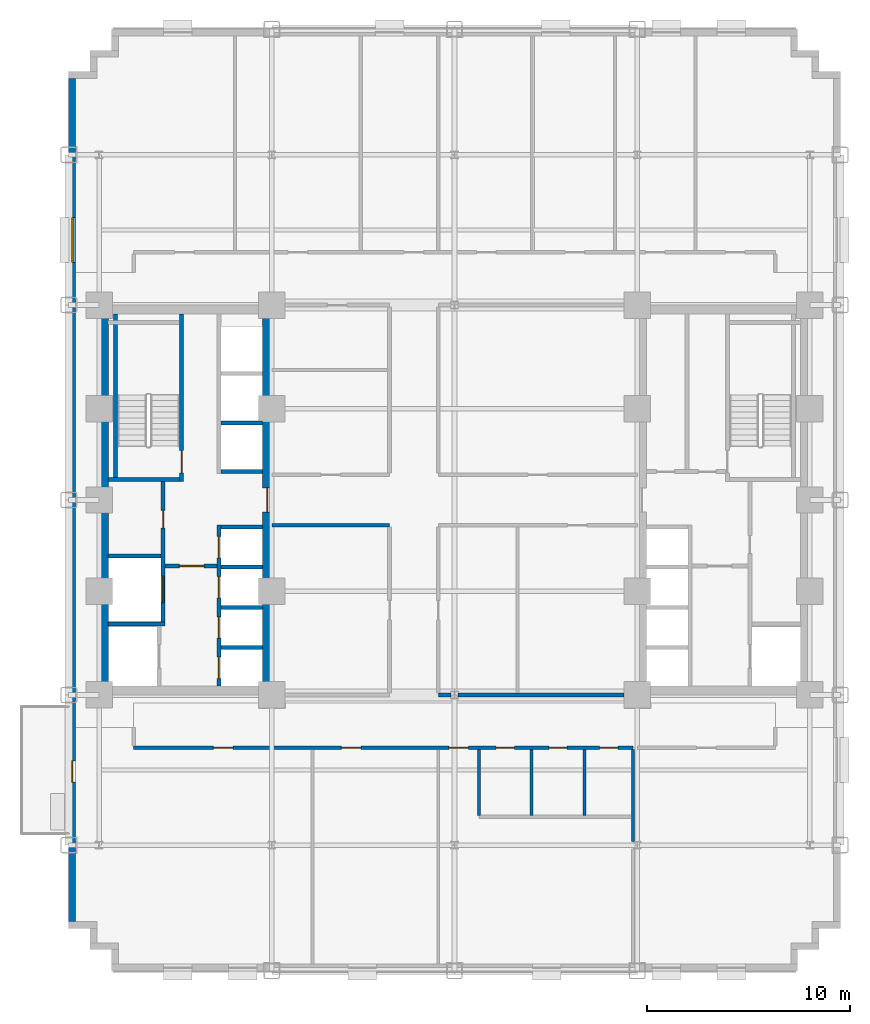
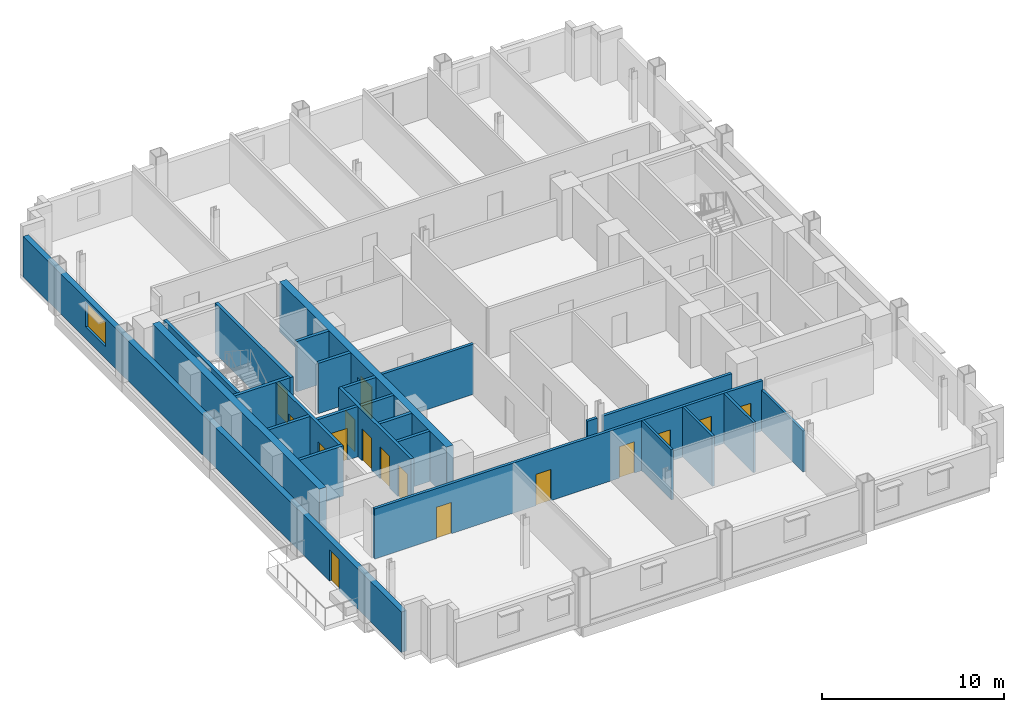
# One storey, part 5 of 12: 25 walls, 16 doors, 1 window, 17 openings.
"""IFC4 building model written with IfcOpenShell, lengths in metres."""

from ifc_helpers import new_model, si_unit, direction, frame, frame_2d, origin, place, context, subcontext, project, spatial, rectangle, extrude, source, transform, mapped, material, layer, layer_set, type_object, type_shapes, element, fill, save


model = new_model("IFC4")

# Units and contexts
model_context = context("Model", 3, precision=1e-05, world=origin(), true_north=direction((0.0, 1.0)))
body_context = subcontext(model_context, "Body", "Model", "MODEL_VIEW")
ifc_project = project(units=[si_unit("LENGTHUNIT", "METRE"), si_unit("AREAUNIT", "SQUARE_METRE"), si_unit("VOLUMEUNIT", "CUBIC_METRE"), si_unit("PLANEANGLEUNIT", "RADIAN"), si_unit("MASSUNIT", "GRAM", prefix="KILO")], contexts=[model_context])

# Site, building, storey
site_placement = place(None, origin())
site = spatial("IfcSite", under=ifc_project, at=site_placement, CompositionType="ELEMENT")
building_placement = place(site_placement, origin())
building = spatial("IfcBuilding", under=site, at=building_placement, Name="Nuvemarco Arch Tower", CompositionType="ELEMENT")
storey_placement = place(building_placement, frame((0.0, 0.0, 34.89990234375)))
storey = spatial("IfcBuildingStorey", under=building, at=storey_placement, Name="L08", CompositionType="ELEMENT", Elevation=34.89990234375)

# Wall, openings, door, window
ifc_material_1 = material(Name="Precast concrete C45/55", Category="concrete")
ifc_layer_1 = layer(ifc_material_1, 0.340087890625, Name="EW-LOW-340")
ifc_layer_set_1 = layer_set([ifc_layer_1], Name="Precast concrete C45/55")
wall_type_1 = type_object("IfcWallType", Name="EW-LOW-340", PredefinedType="STANDARD", material=ifc_layer_set_1)
wall_1_placement = place(storey_placement, frame((-18.830078125, -20.763916015625, 0.0), z_axis=(0.0, 0.0, 1.0), x_axis=(0.0, 1.0, 0.0)))
wall_1 = element("IfcWall", 1, at=wall_1_placement, inside=storey, type_object=wall_type_1, Name="L08 exterior precast facade wall 16", PredefinedType="STANDARD", context=body_context, shape_type="SweptSolid", body=[
    extrude(rectangle(XDim=41.52783203125, YDim=0.340087890625, at=frame_2d((20.763916015625, 0.0))), origin(), (0.0, 0.0, 1.0), 2.705078125),
])
opening_1_placement = place(wall_1_placement, frame((6.864013671875, 0.0, 0.0)))
opening_1 = element("IfcOpeningElement", 2, at=opening_1_placement, cuts=wall_1, Name="Opening ED-5", PredefinedType="OPENING", context=body_context, shape_type="SweptSolid", body=[
    extrude(rectangle(XDim=1.050048828125, YDim=2.10009765625, at=frame_2d((0.52490234375, 1.050048828125))), frame((0.0, 0.179931640625, 0.0), z_axis=(0.0, -1.0, 0.0), x_axis=(1.0, 0.0, 0.0)), (0.0, 0.0, 1.0), 0.360107421875),
])
opening_2_placement = place(wall_1_placement, frame((32.466552734375, 0.0, 0.800048828125)))
opening_2 = element("IfcOpeningElement", 3, at=opening_2_placement, cuts=wall_1, Name="Opening WN-3", PredefinedType="OPENING", context=body_context, shape_type="SweptSolid", body=[
    extrude(rectangle(XDim=2.199951171875, YDim=1.64990234375, at=frame_2d((1.10009765625, 0.824951171875))), frame((0.0, 0.179931640625, 0.0), z_axis=(0.0, -1.0, 0.0), x_axis=(1.0, 0.0, 0.0)), (0.0, 0.0, 1.0), 0.360107421875),
])
ifc_material_2 = material(Name="Anodised bronze and laminated glass", Category="glass")
door_type_1 = type_object("IfcDoorType", Name="DR-EXT-TERR", OperationType="NOTDEFINED", PredefinedType="DOOR", material=ifc_material_2)
shared_shape_1 = source(origin(), body_context, "Body", "SweptSolid", [
    extrude(rectangle(XDim=1.050048828125, YDim=2.10009765625, at=frame_2d((0.52490234375, 1.050048828125))), frame((0.0, 0.02490234375, 0.0), z_axis=(0.0, -1.0, 0.0), x_axis=(1.0, 0.0, 0.0)), (0.0, 0.0, 1.0), 0.050048828125),
])
type_shapes(door_type_1, [shared_shape_1])
door_1_placement = place(opening_1_placement, origin())
door_1 = element("IfcDoor", 4, at=door_1_placement, inside=storey, type_object=door_type_1, Name="L08 spiral terrace access door", OperationType="SINGLE_SWING_LEFT", OverallHeight=2.10009765625, OverallWidth=1.050048828125, PredefinedType="DOOR", context=body_context, shape_type="MappedRepresentation", body=[
    mapped(shared_shape_1, transform((0.0, 0.0, 0.0), scale=1.0)),
])
fill(opening_1, door_1)
ifc_material_3 = material(Name="Insulated solar-control glass", Category="glass")
window_type = type_object("IfcWindowType", Name="WN-LOW-2200x1650", PartitioningType="DOUBLE_PANEL_VERTICAL", PredefinedType="WINDOW", material=ifc_material_3)
shared_shape_2 = source(origin(), body_context, "Body", "SweptSolid", [
    extrude(rectangle(XDim=2.199951171875, YDim=1.64990234375, at=frame_2d((1.10009765625, 0.824951171875))), frame((0.0, 0.030029296875, 0.0), z_axis=(0.0, -1.0, 0.0), x_axis=(1.0, 0.0, 0.0)), (0.0, 0.0, 1.0), 0.06005859375),
])
type_shapes(window_type, [shared_shape_2])
window_placement = place(opening_2_placement, origin())
window = element("IfcWindow", 5, at=window_placement, inside=storey, type_object=window_type, Name="L08 punched facade window 7", OverallHeight=1.64990234375, OverallWidth=2.199951171875, PartitioningType="SINGLE_PANEL", PredefinedType="WINDOW", context=body_context, shape_type="MappedRepresentation", body=[
    mapped(shared_shape_2, transform((0.0, 0.0, 0.0), scale=1.0)),
])
fill(opening_2, window)

# Wall
ifc_material_4 = material(Name="Concrete C60/75", Category="concrete")
ifc_layer_2 = layer(ifc_material_4, 0.449951171875, Name="WL-CORE-450")
ifc_layer_set_2 = layer_set([ifc_layer_2], Name="Concrete C60/75")
wall_type_2 = type_object("IfcWallType", Name="WL-CORE-450", PredefinedType="SHEAR", material=ifc_layer_set_2)
wall_2_placement = place(storey_placement, frame((-17.27490234375, -9.155029296875, 0.0), z_axis=(0.0, 0.0, 1.0), x_axis=(0.0, 1.0, 0.0)))
element("IfcWall", 6, at=wall_2_placement, inside=storey, type_object=wall_type_2, Name="L08 W-core shear wall W", PredefinedType="SHEAR", context=body_context, shape_type="SweptSolid", body=[
    extrude(rectangle(XDim=18.31005859375, YDim=0.449951171875, at=frame_2d((9.155029296875, 0.0))), origin(), (0.0, 0.0, 1.0), 3.3701171875),
])

# Wall, opening, door
wall_3_placement = place(storey_placement, frame((-9.22509765625, -9.155029296875, 0.0), z_axis=(0.0, 0.0, 1.0), x_axis=(0.0, 1.0, 0.0)))
wall_3 = element("IfcWall", 7, at=wall_3_placement, inside=storey, type_object=wall_type_2, Name="L08 W-core shear wall E", PredefinedType="SHEAR", context=body_context, shape_type="SweptSolid", body=[
    extrude(rectangle(XDim=18.31005859375, YDim=0.449951171875, at=frame_2d((9.155029296875, 0.0))), origin(), (0.0, 0.0, 1.0), 3.3701171875),
])
opening_3_placement = place(wall_3_placement, frame((8.554931640625, 0.0, 0.0)))
opening_3 = element("IfcOpeningElement", 8, at=opening_3_placement, cuts=wall_3, Name="Opening FD-2", PredefinedType="OPENING", context=body_context, shape_type="SweptSolid", body=[
    extrude(rectangle(XDim=1.199951171875, YDim=2.14990234375, at=frame_2d((0.60009765625, 1.074951171875))), frame((0.0, 0.23486328125, 0.0), z_axis=(0.0, -1.0, 0.0), x_axis=(1.0, 0.0, 0.0)), (0.0, 0.0, 1.0), 0.469970703125),
])
ifc_material_5 = material(Name="Anodised steel fire door", Category="steel")
door_type_2 = type_object("IfcDoorType", Name="DR-FFLOB-FD", OperationType="NOTDEFINED", PredefinedType="DOOR", material=ifc_material_5)
shared_shape_3 = source(origin(), body_context, "Body", "SweptSolid", [
    extrude(rectangle(XDim=1.199951171875, YDim=2.14990234375, at=frame_2d((0.60009765625, 1.074951171875))), frame((0.0, 0.02490234375, 0.0), z_axis=(0.0, -1.0, 0.0), x_axis=(1.0, 0.0, 0.0)), (0.0, 0.0, 1.0), 0.050048828125),
])
type_shapes(door_type_2, [shared_shape_3])
door_2_placement = place(opening_3_placement, origin())
door_2 = element("IfcDoor", 9, at=door_2_placement, inside=storey, type_object=door_type_2, Name="L08 door FD-L08-WCORE-E", OperationType="SINGLE_SWING_LEFT", OverallHeight=2.14990234375, OverallWidth=1.199951171875, PredefinedType="DOOR", context=body_context, shape_type="MappedRepresentation", body=[
    mapped(shared_shape_3, transform((0.0, 0.0, 0.0), scale=1.0)),
])
fill(opening_3, door_2)

# Wall, openings, doors
ifc_material_6 = material(Name="Fire-rated gypsum drywall partition")
ifc_layer_3 = layer(ifc_material_6, 0.179931640625, Name="WL-CORR-180")
ifc_layer_set_3 = layer_set([ifc_layer_3], Name="Fire-rated gypsum drywall partition")
wall_type_3 = type_object("IfcWallType", Name="WL-CORR-180", PredefinedType="PARTITIONING", material=ifc_layer_set_3)
wall_4_placement = place(storey_placement, frame((-15.800048828125, -12.199951171875, 0.0), z_axis=(0.0, 0.0, 1.0), x_axis=(1.0, 0.0, 0.0)))
wall_4 = element("IfcWall", 10, at=wall_4_placement, inside=storey, type_object=wall_type_3, Name="L08 interior wall IW-L08-002", PredefinedType="PARTITIONING", context=body_context, shape_type="SweptSolid", body=[
    extrude(rectangle(XDim=24.60009765625, YDim=0.179931640625, at=frame_2d((12.300048828125, 0.0))), origin(), (0.0, 0.0, 1.0), 3.360107421875),
])
opening_4_placement = place(wall_4_placement, frame((3.925048828125, 0.0, 0.0)))
opening_4 = element("IfcOpeningElement", 11, at=opening_4_placement, cuts=wall_4, Name="Opening FD-5", PredefinedType="OPENING", context=body_context, shape_type="SweptSolid", body=[
    extrude(rectangle(XDim=0.9599609375, YDim=2.10009765625, at=frame_2d((0.47998046875, 1.050048828125))), frame((0.0, 0.099853515625, 0.0), z_axis=(0.0, -1.0, 0.0), x_axis=(1.0, 0.0, 0.0)), (0.0, 0.0, 1.0), 0.199951171875),
])
opening_5_placement = place(wall_4_placement, frame((10.22509765625, 0.0, 0.0)))
opening_5 = element("IfcOpeningElement", 12, at=opening_5_placement, cuts=wall_4, Name="Opening FD-5", PredefinedType="OPENING", context=body_context, shape_type="SweptSolid", body=[
    extrude(rectangle(XDim=0.9599609375, YDim=2.10009765625, at=frame_2d((0.47998046875, 1.050048828125))), frame((0.0, 0.099853515625, 0.0), z_axis=(0.0, -1.0, 0.0), x_axis=(1.0, 0.0, 0.0)), (0.0, 0.0, 1.0), 0.199951171875),
])
opening_6_placement = place(wall_4_placement, frame((20.449951171875, 0.0, 0.0)))
opening_6 = element("IfcOpeningElement", 13, at=opening_6_placement, cuts=wall_4, Name="Opening ID-3", PredefinedType="OPENING", context=body_context, shape_type="SweptSolid", body=[
    extrude(rectangle(XDim=0.89990234375, YDim=2.10009765625, at=frame_2d((0.449951171875, 1.050048828125))), frame((0.0, 0.099853515625, 0.0), z_axis=(0.0, -1.0, 0.0), x_axis=(1.0, 0.0, 0.0)), (0.0, 0.0, 1.0), 0.199951171875),
])
opening_7_placement = place(wall_4_placement, frame((17.85009765625, 0.0, 0.0)))
opening_7 = element("IfcOpeningElement", 14, at=opening_7_placement, cuts=wall_4, Name="Opening ID-3", PredefinedType="OPENING", context=body_context, shape_type="SweptSolid", body=[
    extrude(rectangle(XDim=0.89990234375, YDim=2.10009765625, at=frame_2d((0.449951171875, 1.050048828125))), frame((0.0, 0.099853515625, 0.0), z_axis=(0.0, -1.0, 0.0), x_axis=(1.0, 0.0, 0.0)), (0.0, 0.0, 1.0), 0.199951171875),
])
opening_8_placement = place(wall_4_placement, frame((22.949951171875, 0.0, 0.0)))
opening_8 = element("IfcOpeningElement", 15, at=opening_8_placement, cuts=wall_4, Name="Opening ID-3", PredefinedType="OPENING", context=body_context, shape_type="SweptSolid", body=[
    extrude(rectangle(XDim=0.89990234375, YDim=2.10009765625, at=frame_2d((0.449951171875, 1.050048828125))), frame((0.0, 0.099853515625, 0.0), z_axis=(0.0, -1.0, 0.0), x_axis=(1.0, 0.0, 0.0)), (0.0, 0.0, 1.0), 0.199951171875),
])
opening_9_placement = place(wall_4_placement, frame((15.52001953125, 0.0, 0.0)))
opening_9 = element("IfcOpeningElement", 16, at=opening_9_placement, cuts=wall_4, Name="Opening FD-5", PredefinedType="OPENING", context=body_context, shape_type="SweptSolid", body=[
    extrude(rectangle(XDim=0.9599609375, YDim=2.10009765625, at=frame_2d((0.47998046875, 1.050048828125))), frame((0.0, 0.099853515625, 0.0), z_axis=(0.0, -1.0, 0.0), x_axis=(1.0, 0.0, 0.0)), (0.0, 0.0, 1.0), 0.199951171875),
])
ifc_material_7 = material(Name="Timber fire door", Category="wood")
door_type_3 = type_object("IfcDoorType", Name="DR-CORR-FD", OperationType="NOTDEFINED", PredefinedType="DOOR", material=ifc_material_7)
shared_shape_4 = source(origin(), body_context, "Body", "SweptSolid", [
    extrude(rectangle(XDim=0.9599609375, YDim=2.10009765625, at=frame_2d((0.47998046875, 1.050048828125))), frame((0.0, 0.02490234375, 0.0), z_axis=(0.0, -1.0, 0.0), x_axis=(1.0, 0.0, 0.0)), (0.0, 0.0, 1.0), 0.050048828125),
])
type_shapes(door_type_3, [shared_shape_4])
door_3_placement = place(opening_4_placement, origin())
door_3 = element("IfcDoor", 17, at=door_3_placement, inside=storey, type_object=door_type_3, Name="L08 door DR-L08-S_1", OperationType="SINGLE_SWING_RIGHT", OverallHeight=2.10009765625, OverallWidth=0.9599609375, PredefinedType="DOOR", context=body_context, shape_type="MappedRepresentation", body=[
    mapped(shared_shape_4, transform((0.0, 0.0, 0.0), scale=1.0)),
])
fill(opening_4, door_3)
door_4_placement = place(opening_5_placement, origin())
door_4 = element("IfcDoor", 18, at=door_4_placement, inside=storey, type_object=door_type_3, Name="L08 door DR-L08-S_2", OperationType="SINGLE_SWING_LEFT", OverallHeight=2.10009765625, OverallWidth=0.9599609375, PredefinedType="DOOR", context=body_context, shape_type="MappedRepresentation", body=[
    mapped(shared_shape_4, transform((0.0, 0.0, 0.0), scale=1.0)),
])
fill(opening_5, door_4)
door_5_placement = place(opening_9_placement, origin())
door_5 = element("IfcDoor", 19, at=door_5_placement, inside=storey, type_object=door_type_3, Name="L08 door DR-L08-S_3", OperationType="SINGLE_SWING_RIGHT", OverallHeight=2.10009765625, OverallWidth=0.9599609375, PredefinedType="DOOR", context=body_context, shape_type="MappedRepresentation", body=[
    mapped(shared_shape_4, transform((0.0, 0.0, 0.0), scale=1.0)),
])
fill(opening_9, door_5)
ifc_material_8 = material(Name="Veneered oak timber fire door", Category="wood")
door_type_4 = type_object("IfcDoorType", Name="DR-WC-ACC", OperationType="NOTDEFINED", PredefinedType="DOOR", material=ifc_material_8)
shared_shape_5 = source(origin(), body_context, "Body", "SweptSolid", [
    extrude(rectangle(XDim=0.89990234375, YDim=2.10009765625, at=frame_2d((0.449951171875, 1.050048828125))), frame((0.0, 0.02490234375, 0.0), z_axis=(0.0, -1.0, 0.0), x_axis=(1.0, 0.0, 0.0)), (0.0, 0.0, 1.0), 0.050048828125),
])
type_shapes(door_type_4, [shared_shape_5])
door_6_placement = place(opening_6_placement, origin())
door_6 = element("IfcDoor", 20, at=door_6_placement, inside=storey, type_object=door_type_4, Name="L08 door DR-L08-WC_F", OperationType="SINGLE_SWING_RIGHT", OverallHeight=2.10009765625, OverallWidth=0.89990234375, PredefinedType="DOOR", context=body_context, shape_type="MappedRepresentation", body=[
    mapped(shared_shape_5, transform((0.0, 0.0, 0.0), scale=1.0)),
])
fill(opening_6, door_6)
door_7_placement = place(opening_7_placement, origin())
door_7 = element("IfcDoor", 21, at=door_7_placement, inside=storey, type_object=door_type_4, Name="L08 door DR-L08-WC_M", OperationType="SINGLE_SWING_LEFT", OverallHeight=2.10009765625, OverallWidth=0.89990234375, PredefinedType="DOOR", context=body_context, shape_type="MappedRepresentation", body=[
    mapped(shared_shape_5, transform((0.0, 0.0, 0.0), scale=1.0)),
])
fill(opening_7, door_7)
door_8_placement = place(opening_8_placement, origin())
door_8 = element("IfcDoor", 22, at=door_8_placement, inside=storey, type_object=door_type_4, Name="L08 door DR-L08-WC_ACC", OperationType="SINGLE_SWING_RIGHT", OverallHeight=2.10009765625, OverallWidth=0.89990234375, PredefinedType="DOOR", context=body_context, shape_type="MappedRepresentation", body=[
    mapped(shared_shape_5, transform((0.0, 0.0, 0.0), scale=1.0)),
])
fill(opening_8, door_8)

# Walls
wall_5_placement = place(storey_placement, frame((-0.800048828125, -9.60009765625, 0.0), z_axis=(0.0, 0.0, 1.0), x_axis=(1.0, 0.0, 0.0)))
element("IfcWall", 23, at=wall_5_placement, inside=storey, type_object=wall_type_3, Name="L08 interior wall IW-L08-005", PredefinedType="PARTITIONING", context=body_context, shape_type="SweptSolid", body=[
    extrude(rectangle(XDim=0.6240234375, YDim=0.179931640625, at=frame_2d((0.31201171875, 0.0))), origin(), (0.0, 0.0, 1.0), 2.405029296875),
])
wall_6_placement = place(storey_placement, frame((0.176025390625, -9.60009765625, 0.0), z_axis=(0.0, 0.0, 1.0), x_axis=(1.0, 0.0, 0.0)))
element("IfcWall", 24, at=wall_6_placement, inside=storey, type_object=wall_type_3, Name="L08 interior wall IW-L08-006", PredefinedType="PARTITIONING", context=body_context, shape_type="SweptSolid", body=[
    extrude(rectangle(XDim=8.177978515625, YDim=0.179931640625, at=frame_2d((4.0888671875, 0.0))), origin(), (0.0, 0.0, 1.0), 2.405029296875),
])
wall_7_placement = place(storey_placement, frame((-9.0, -1.25, 0.0), z_axis=(0.0, 0.0, 1.0), x_axis=(1.0, 0.0, 0.0)))
element("IfcWall", 25, at=wall_7_placement, inside=storey, type_object=wall_type_3, Name="L08 interior wall IW-L08-007", PredefinedType="PARTITIONING", context=body_context, shape_type="SweptSolid", body=[
    extrude(rectangle(XDim=5.800048828125, YDim=0.179931640625, at=frame_2d((2.89990234375, 0.0))), origin(), (0.0, 0.0, 1.0), 3.360107421875),
])

# Wall, opening, door
ifc_material_9 = material(Name="Concrete C50/60", Category="concrete")
ifc_layer_4 = layer(ifc_material_9, 0.199951171875, Name="WL-SHAFT-220")
ifc_layer_set_4 = layer_set([ifc_layer_4], Name="Concrete C50/60")
wall_type_4 = type_object("IfcWallType", Name="WL-SHAFT-220", PredefinedType="SHEAR", material=ifc_layer_set_4)
wall_8_placement = place(storey_placement, frame((-13.43994140625, 0.89990234375, 0.0), z_axis=(0.0, 0.0, 1.0), x_axis=(0.0, 1.0, 0.0)))
wall_8 = element("IfcWall", 26, at=wall_8_placement, inside=storey, type_object=wall_type_4, Name="L08 structural shaft wall SW-L08-W-ST1E", PredefinedType="SHEAR", context=body_context, shape_type="SweptSolid", body=[
    extrude(rectangle(XDim=8.255126953125, YDim=0.199951171875, at=frame_2d((4.12744140625, 0.0))), origin(), (0.0, 0.0, 1.0), 3.3701171875),
])
opening_10_placement = place(wall_8_placement, frame((1.530029296875, 0.0, 0.0), z_axis=(0.0, 0.0, 1.0), x_axis=(-1.0, 0.0, 0.0)))
opening_10 = element("IfcOpeningElement", 27, at=opening_10_placement, cuts=wall_8, Name="Opening FD-1", PredefinedType="OPENING", context=body_context, shape_type="SweptSolid", body=[
    extrude(rectangle(XDim=1.10009765625, YDim=2.14990234375, at=frame_2d((0.550048828125, 1.074951171875))), frame((0.0, 0.10986328125, 0.0), z_axis=(0.0, -1.0, 0.0), x_axis=(1.0, 0.0, 0.0)), (0.0, 0.0, 1.0), 0.219970703125),
])
door_type_5 = type_object("IfcDoorType", Name="DR-STAIR-FD", OperationType="NOTDEFINED", PredefinedType="DOOR", material=ifc_material_5)
shared_shape_6 = source(origin(), body_context, "Body", "SweptSolid", [
    extrude(rectangle(XDim=1.10009765625, YDim=2.14990234375, at=frame_2d((0.550048828125, 1.074951171875))), frame((0.0, 0.02490234375, 0.0), z_axis=(0.0, -1.0, 0.0), x_axis=(1.0, 0.0, 0.0)), (0.0, 0.0, 1.0), 0.050048828125),
])
type_shapes(door_type_5, [shared_shape_6])
door_9_placement = place(opening_10_placement, origin())
door_9 = element("IfcDoor", 28, at=door_9_placement, inside=storey, type_object=door_type_5, Name="L08 door FD-L08-ST1", OperationType="SINGLE_SWING_LEFT", OverallHeight=2.14990234375, OverallWidth=1.10009765625, PredefinedType="DOOR", context=body_context, shape_type="MappedRepresentation", body=[
    mapped(shared_shape_6, transform((0.0, 0.0, 0.0), scale=1.0)),
])
fill(opening_10, door_9)

# Walls
wall_9_placement = place(storey_placement, frame((-17.054931640625, 1.0, 0.0), z_axis=(0.0, 0.0, 1.0), x_axis=(1.0, 0.0, 0.0)))
element("IfcWall", 29, at=wall_9_placement, inside=storey, type_object=wall_type_4, Name="L08 structural shaft wall SW-L08-W-ST1S", PredefinedType="SHEAR", context=body_context, shape_type="SweptSolid", body=[
    extrude(rectangle(XDim=3.52001953125, YDim=0.199951171875, at=frame_2d((1.760009765625, 0.0))), origin(), (0.0, 0.0, 1.0), 3.3701171875),
])
wall_10_placement = place(storey_placement, frame((-16.699951171875, 1.094970703125, 0.0), z_axis=(0.0, 0.0, 1.0), x_axis=(0.0, 1.0, 0.0)))
element("IfcWall", 30, at=wall_10_placement, inside=storey, type_object=wall_type_4, Name="L08 structural shaft wall SW-L08-W-ST1W", PredefinedType="SHEAR", context=body_context, shape_type="SweptSolid", body=[
    extrude(rectangle(XDim=8.06005859375, YDim=0.199951171875, at=frame_2d((4.030029296875, 0.0))), origin(), (0.0, 0.0, 1.0), 3.3701171875),
])

# Wall, openings, doors
wall_11_placement = place(storey_placement, frame((-14.35009765625, -6.199951171875, 0.0), z_axis=(0.0, 0.0, 1.0), x_axis=(0.0, 1.0, 0.0)))
wall_11 = element("IfcWall", 31, at=wall_11_placement, inside=storey, type_object=wall_type_4, Name="L08 structural shaft wall SW-L08-W-SVE", PredefinedType="SHEAR", context=body_context, shape_type="SweptSolid", body=[
    extrude(rectangle(XDim=7.10498046875, YDim=0.199951171875, at=frame_2d((3.552490234375, 0.0))), origin(), (0.0, 0.0, 1.0), 3.3701171875),
])
opening_11_placement = place(wall_11_placement, frame((5.68994140625, 0.0, 0.0), z_axis=(0.0, 0.0, 1.0), x_axis=(-1.0, 0.0, 0.0)))
opening_11 = element("IfcOpeningElement", 32, at=opening_11_placement, cuts=wall_11, Name="Opening FD-4", PredefinedType="OPENING", context=body_context, shape_type="SweptSolid", body=[
    extrude(rectangle(XDim=0.8798828125, YDim=2.10009765625, at=frame_2d((0.43994140625, 1.050048828125))), frame((0.0, 0.10986328125, 0.0), z_axis=(0.0, -1.0, 0.0), x_axis=(1.0, 0.0, 0.0)), (0.0, 0.0, 1.0), 0.219970703125),
])
opening_12_placement = place(wall_11_placement, frame((1.14990234375, 0.0, 0.0)))
opening_12 = element("IfcOpeningElement", 33, at=opening_12_placement, cuts=wall_11, Name="Opening LD-3", PredefinedType="OPENING", context=body_context, shape_type="SweptSolid", body=[
    extrude(rectangle(XDim=1.300048828125, YDim=2.199951171875, at=frame_2d((0.64990234375, 1.10009765625))), frame((0.0, 0.10986328125, 0.0), z_axis=(0.0, -1.0, 0.0), x_axis=(1.0, 0.0, 0.0)), (0.0, 0.0, 1.0), 0.219970703125),
])
door_type_6 = type_object("IfcDoorType", Name="DR-RISER-FD", OperationType="NOTDEFINED", PredefinedType="DOOR", material=ifc_material_5)
shared_shape_7 = source(origin(), body_context, "Body", "SweptSolid", [
    extrude(rectangle(XDim=0.8798828125, YDim=2.10009765625, at=frame_2d((0.43994140625, 1.050048828125))), frame((0.0, 0.02490234375, 0.0), z_axis=(0.0, -1.0, 0.0), x_axis=(1.0, 0.0, 0.0)), (0.0, 0.0, 1.0), 0.050048828125),
])
type_shapes(door_type_6, [shared_shape_7])
door_10_placement = place(opening_11_placement, origin())
door_10 = element("IfcDoor", 34, at=door_10_placement, inside=storey, type_object=door_type_6, Name="L08 door FD-L08-WRIS", OperationType="SINGLE_SWING_LEFT", OverallHeight=2.10009765625, OverallWidth=0.8798828125, PredefinedType="DOOR", context=body_context, shape_type="MappedRepresentation", body=[
    mapped(shared_shape_7, transform((0.0, 0.0, 0.0), scale=1.0)),
])
fill(opening_11, door_10)
ifc_material_10 = material(Name="Stainless steel lift door", Category="steel")
door_type_7 = type_object("IfcDoorType", Name="DR-LIFT-SERV", OperationType="DOUBLE_DOOR_SLIDING", PredefinedType="DOOR", material=ifc_material_10)
shared_shape_8 = source(origin(), body_context, "Body", "SweptSolid", [
    extrude(rectangle(XDim=1.300048828125, YDim=2.199951171875, at=frame_2d((0.64990234375, 1.10009765625))), frame((0.0, 0.02490234375, 0.0), z_axis=(0.0, -1.0, 0.0), x_axis=(1.0, 0.0, 0.0)), (0.0, 0.0, 1.0), 0.050048828125),
])
type_shapes(door_type_7, [shared_shape_8])
door_11_placement = place(opening_12_placement, origin())
door_11 = element("IfcDoor", 35, at=door_11_placement, inside=storey, type_object=door_type_7, Name="L08 Lift landing sliding door SVL-1", OperationType="DOUBLE_DOOR_SLIDING", OverallHeight=2.199951171875, OverallWidth=1.300048828125, PredefinedType="DOOR", context=body_context, shape_type="MappedRepresentation", body=[
    mapped(shared_shape_8, transform((0.0, 0.0, 0.0), scale=1.0)),
])
fill(opening_12, door_11)

# Walls
wall_12_placement = place(storey_placement, frame((-17.054931640625, -6.10009765625, 0.0), z_axis=(0.0, 0.0, 1.0), x_axis=(1.0, 0.0, 0.0)))
element("IfcWall", 36, at=wall_12_placement, inside=storey, type_object=wall_type_4, Name="L08 structural shaft wall SW-L08-W-SH1", PredefinedType="SHEAR", context=body_context, shape_type="SweptSolid", body=[
    extrude(rectangle(XDim=2.804931640625, YDim=0.199951171875, at=frame_2d((1.40234375, 0.0))), origin(), (0.0, 0.0, 1.0), 3.3701171875),
])
wall_13_placement = place(storey_placement, frame((-17.054931640625, -2.75, 0.0), z_axis=(0.0, 0.0, 1.0), x_axis=(1.0, 0.0, 0.0)))
element("IfcWall", 37, at=wall_13_placement, inside=storey, type_object=wall_type_4, Name="L08 structural shaft wall SW-L08-W-SH2", PredefinedType="SHEAR", context=body_context, shape_type="SweptSolid", body=[
    extrude(rectangle(XDim=2.60986328125, YDim=0.199951171875, at=frame_2d((1.304931640625, 0.0))), origin(), (0.0, 0.0, 1.0), 3.3701171875),
])

# Wall, openings, doors
wall_14_placement = place(storey_placement, frame((-11.60009765625, -9.155029296875, 0.0), z_axis=(0.0, 0.0, 1.0), x_axis=(0.0, 1.0, 0.0)))
wall_14 = element("IfcWall", 38, at=wall_14_placement, inside=storey, type_object=wall_type_4, Name="L08 structural shaft wall SW-L08-W-PLW", PredefinedType="SHEAR", context=body_context, shape_type="SweptSolid", body=[
    extrude(rectangle(XDim=7.925048828125, YDim=0.199951171875, at=frame_2d((3.96240234375, 0.0))), origin(), (0.0, 0.0, 1.0), 3.3701171875),
])
opening_13_placement = place(wall_14_placement, frame((0.3701171875, 0.0, 0.0)))
opening_13 = element("IfcOpeningElement", 39, at=opening_13_placement, cuts=wall_14, Name="Opening LD-1", PredefinedType="OPENING", context=body_context, shape_type="SweptSolid", body=[
    extrude(rectangle(XDim=1.050048828125, YDim=2.14990234375, at=frame_2d((0.52490234375, 1.074951171875))), frame((0.0, 0.10986328125, 0.0), z_axis=(0.0, -1.0, 0.0), x_axis=(1.0, 0.0, 0.0)), (0.0, 0.0, 1.0), 0.219970703125),
])
opening_14_placement = place(wall_14_placement, frame((2.35009765625, 0.0, 0.0)))
opening_14 = element("IfcOpeningElement", 40, at=opening_14_placement, cuts=wall_14, Name="Opening LD-1", PredefinedType="OPENING", context=body_context, shape_type="SweptSolid", body=[
    extrude(rectangle(XDim=1.050048828125, YDim=2.14990234375, at=frame_2d((0.52490234375, 1.074951171875))), frame((0.0, 0.10986328125, 0.0), z_axis=(0.0, -1.0, 0.0), x_axis=(1.0, 0.0, 0.0)), (0.0, 0.0, 1.0), 0.219970703125),
])
opening_15_placement = place(wall_14_placement, frame((4.330078125, 0.0, 0.0)))
opening_15 = element("IfcOpeningElement", 41, at=opening_15_placement, cuts=wall_14, Name="Opening LD-1", PredefinedType="OPENING", context=body_context, shape_type="SweptSolid", body=[
    extrude(rectangle(XDim=1.050048828125, YDim=2.14990234375, at=frame_2d((0.52490234375, 1.074951171875))), frame((0.0, 0.10986328125, 0.0), z_axis=(0.0, -1.0, 0.0), x_axis=(1.0, 0.0, 0.0)), (0.0, 0.0, 1.0), 0.219970703125),
])
opening_16_placement = place(wall_14_placement, frame((6.31005859375, 0.0, 0.0)))
opening_16 = element("IfcOpeningElement", 42, at=opening_16_placement, cuts=wall_14, Name="Opening LD-1", PredefinedType="OPENING", context=body_context, shape_type="SweptSolid", body=[
    extrude(rectangle(XDim=1.050048828125, YDim=2.14990234375, at=frame_2d((0.52490234375, 1.074951171875))), frame((0.0, 0.10986328125, 0.0), z_axis=(0.0, -1.0, 0.0), x_axis=(1.0, 0.0, 0.0)), (0.0, 0.0, 1.0), 0.219970703125),
])
door_type_8 = type_object("IfcDoorType", Name="DR-LIFT-PASS", OperationType="DOUBLE_DOOR_SLIDING", PredefinedType="DOOR", material=ifc_material_10)
shared_shape_9 = source(origin(), body_context, "Body", "SweptSolid", [
    extrude(rectangle(XDim=1.050048828125, YDim=2.14990234375, at=frame_2d((0.52490234375, 1.074951171875))), frame((0.0, 0.02490234375, 0.0), z_axis=(0.0, -1.0, 0.0), x_axis=(1.0, 0.0, 0.0)), (0.0, 0.0, 1.0), 0.050048828125),
])
type_shapes(door_type_8, [shared_shape_9])
door_12_placement = place(opening_13_placement, origin())
door_12 = element("IfcDoor", 43, at=door_12_placement, inside=storey, type_object=door_type_8, Name="L08 Lift landing sliding door PL-1", OperationType="DOUBLE_DOOR_SLIDING", OverallHeight=2.14990234375, OverallWidth=1.050048828125, PredefinedType="DOOR", context=body_context, shape_type="MappedRepresentation", body=[
    mapped(shared_shape_9, transform((0.0, 0.0, 0.0), scale=1.0)),
])
fill(opening_13, door_12)
door_13_placement = place(opening_14_placement, origin())
door_13 = element("IfcDoor", 44, at=door_13_placement, inside=storey, type_object=door_type_8, Name="L08 Lift landing sliding door PL-2", OperationType="DOUBLE_DOOR_SLIDING", OverallHeight=2.14990234375, OverallWidth=1.050048828125, PredefinedType="DOOR", context=body_context, shape_type="MappedRepresentation", body=[
    mapped(shared_shape_9, transform((0.0, 0.0, 0.0), scale=1.0)),
])
fill(opening_14, door_13)
door_14_placement = place(opening_15_placement, origin())
door_14 = element("IfcDoor", 45, at=door_14_placement, inside=storey, type_object=door_type_8, Name="L08 Lift landing sliding door PL-3", OperationType="DOUBLE_DOOR_SLIDING", OverallHeight=2.14990234375, OverallWidth=1.050048828125, PredefinedType="DOOR", context=body_context, shape_type="MappedRepresentation", body=[
    mapped(shared_shape_9, transform((0.0, 0.0, 0.0), scale=1.0)),
])
fill(opening_15, door_14)
door_15_placement = place(opening_16_placement, origin())
door_15 = element("IfcDoor", 46, at=door_15_placement, inside=storey, type_object=door_type_8, Name="L08 Lift landing sliding door PL-4", OperationType="DOUBLE_DOOR_SLIDING", OverallHeight=2.14990234375, OverallWidth=1.050048828125, PredefinedType="DOOR", context=body_context, shape_type="MappedRepresentation", body=[
    mapped(shared_shape_9, transform((0.0, 0.0, 0.0), scale=1.0)),
])
fill(opening_16, door_15)

# Wall, opening, door
wall_15_placement = place(storey_placement, frame((-14.2548828125, -3.25, 0.0), z_axis=(0.0, 0.0, 1.0), x_axis=(1.0, 0.0, 0.0)))
wall_15 = element("IfcWall", 47, at=wall_15_placement, inside=storey, type_object=wall_type_4, Name="L08 structural shaft wall SW-L08-W-FFN", PredefinedType="SHEAR", context=body_context, shape_type="SweptSolid", body=[
    extrude(rectangle(XDim=2.559814453125, YDim=0.199951171875, at=frame_2d((1.27978515625, 0.0))), origin(), (0.0, 0.0, 1.0), 3.3701171875),
])
opening_17_placement = place(wall_15_placement, frame((0.705078125, 0.0, 0.0)))
opening_17 = element("IfcOpeningElement", 48, at=opening_17_placement, cuts=wall_15, Name="Opening FD-2", PredefinedType="OPENING", context=body_context, shape_type="SweptSolid", body=[
    extrude(rectangle(XDim=1.199951171875, YDim=2.14990234375, at=frame_2d((0.60009765625, 1.074951171875))), frame((0.0, 0.10986328125, 0.0), z_axis=(0.0, -1.0, 0.0), x_axis=(1.0, 0.0, 0.0)), (0.0, 0.0, 1.0), 0.219970703125),
])
door_16_placement = place(opening_17_placement, origin())
door_16 = element("IfcDoor", 49, at=door_16_placement, inside=storey, type_object=door_type_2, Name="L08 door FD-L08-WFF1", OperationType="SINGLE_SWING_LEFT", OverallHeight=2.14990234375, OverallWidth=1.199951171875, PredefinedType="DOOR", context=body_context, shape_type="MappedRepresentation", body=[
    mapped(shared_shape_3, transform((0.0, 0.0, 0.0), scale=1.0)),
])
fill(opening_17, door_16)

# Walls
for number, where, z_axis, x_axis, name in (
    (50, (-11.5048828125, -7.27001953125, 0.0), (0.0, 0.0, 1.0), (1.0, 0.0, 0.0), "L08 structural shaft wall SW-L08-W-PLD1"),
    (51, (-11.5048828125, -5.2900390625, 0.0), (0.0, 0.0, 1.0), (1.0, 0.0, 0.0), "L08 structural shaft wall SW-L08-W-PLD2"),
    (52, (-11.5048828125, -3.31005859375, 0.0), (0.0, 0.0, 1.0), (1.0, 0.0, 0.0), "L08 structural shaft wall SW-L08-W-PLD3"),
    (53, (-11.5048828125, -1.330078125, 0.0), (0.0, 0.0, 1.0), (1.0, 0.0, 0.0), "L08 structural shaft wall SW-L08-W-PLD4"),
    (54, (-11.5048828125, 1.39990234375, 0.0), (0.0, 0.0, 1.0), (1.0, 0.0, 0.0), "L08 structural shaft wall SW-L08-W-PHD1"),
    (55, (-11.5048828125, 3.800048828125, 0.0), (0.0, 0.0, 1.0), (1.0, 0.0, 0.0), "L08 structural shaft wall SW-L08-W-PHD2"),
):
    element("IfcWall", number, at=place(storey_placement, frame(where, z_axis=z_axis, x_axis=x_axis)), inside=storey, type_object=wall_type_4, Name=name, PredefinedType="SHEAR", context=body_context, shape_type="SweptSolid", body=[
        extrude(rectangle(XDim=2.059814453125, YDim=0.199951171875, at=frame_2d((1.02978515625, 0.0))), origin(), (0.0, 0.0, 1.0), 3.3701171875),
    ])
ifc_material_11 = material(Name="Moisture-resistant gypsum partition")
ifc_layer_5 = layer(ifc_material_11, 0.14990234375, Name="WL-WET-150")
ifc_layer_set_5 = layer_set([ifc_layer_5], Name="Moisture-resistant gypsum partition")
wall_type_5 = type_object("IfcWallType", Name="WL-WET-150", PredefinedType="PARTITIONING", material=ifc_layer_set_5)
for number, where, z_axis, x_axis, name in (
    (56, (1.199951171875, -15.529052734375, 0.0), (0.0, 0.0, 1.0), (0.0, 1.0, 0.0), "L08 interior wall IW-L08-027"),
    (57, (3.800048828125, -15.529052734375, 0.0), (0.0, 0.0, 1.0), (0.0, 1.0, 0.0), "L08 interior wall IW-L08-029"),
    (58, (6.39990234375, -15.529052734375, 0.0), (0.0, 0.0, 1.0), (0.0, 1.0, 0.0), "L08 interior wall IW-L08-031"),
):
    element("IfcWall", number, at=place(storey_placement, frame(where, z_axis=z_axis, x_axis=x_axis)), inside=storey, type_object=wall_type_5, Name=name, PredefinedType="PARTITIONING", context=body_context, shape_type="SweptSolid", body=[
        extrude(rectangle(XDim=3.2431640625, YDim=0.14990234375, at=frame_2d((1.62158203125, 0.0))), origin(), (0.0, 0.0, 1.0), 3.360107421875),
    ])
wall_16_placement = place(storey_placement, frame((8.800048828125, -16.823974609375, 0.0), z_axis=(0.0, 0.0, 1.0), x_axis=(0.0, 1.0, 0.0)))
element("IfcWall", 59, at=wall_16_placement, inside=storey, type_object=wall_type_5, Name="L08 interior wall IW-L08-034", PredefinedType="PARTITIONING", context=body_context, shape_type="SweptSolid", body=[
    extrude(rectangle(XDim=4.5380859375, YDim=0.14990234375, at=frame_2d((2.26904296875, 0.0))), origin(), (0.0, 0.0, 1.0), 2.738037109375),
])

save(model, "model.ifc")
